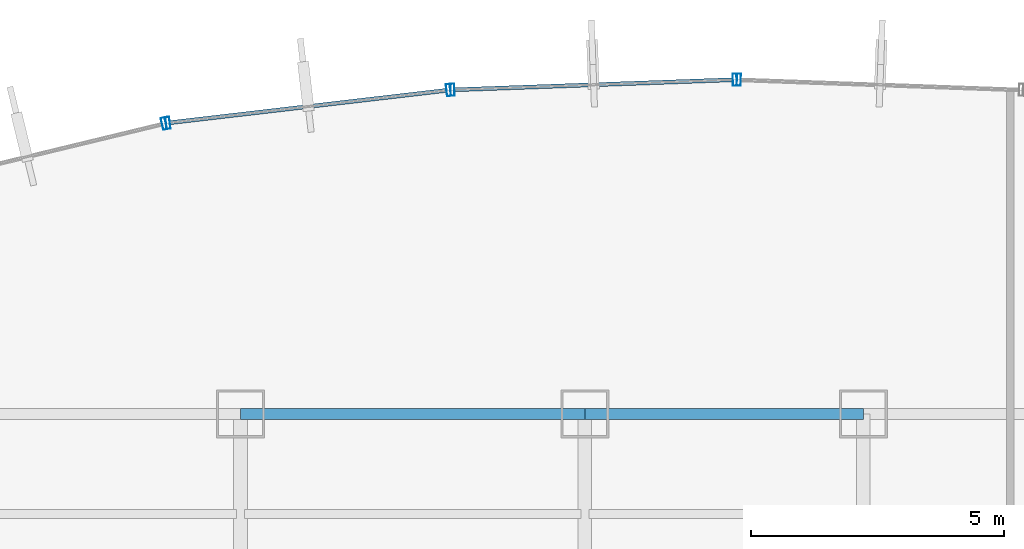
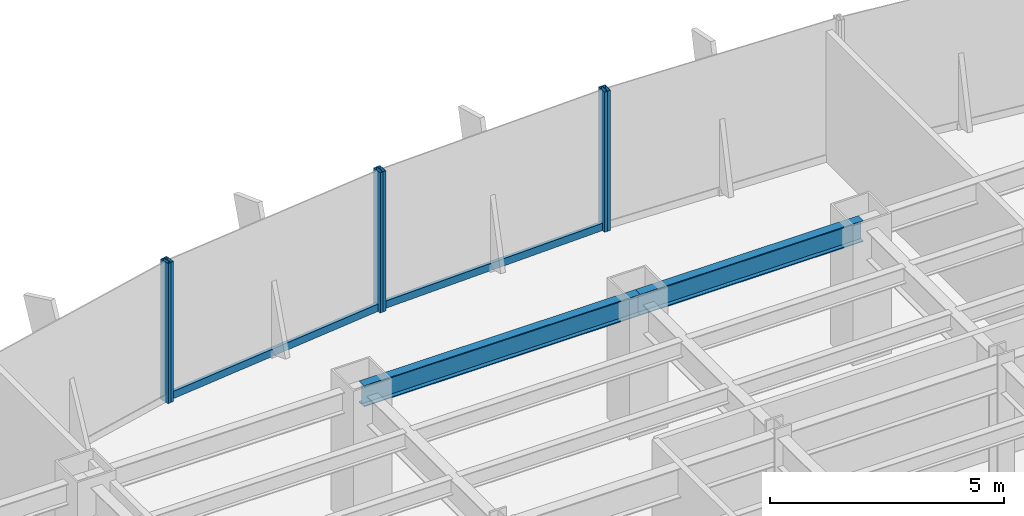
# One storey, part 12 of 22: 8 members, 2 beams, 4 elements without a shape of their own.
"""IFC4 building model written with IfcOpenShell, lengths in metres."""

from ifc_helpers import new_model, si_unit, derived_unit, direction, frame, origin, origin_2d, place, context, subcontext, project, spatial, hollow_rectangle, i_section, extrude, source, transform, mapped, material, material_profile, profile_set, type_object, element, aggregate, save


model = new_model("IFC4")

# Units and contexts
model_context = context("Model", 3, precision=1e-05, world=origin(), true_north=direction((0.0, 1.0)))
body_context = subcontext(model_context, "Body", "Model", "MODEL_VIEW")
ifc_project = project(units=[si_unit("LENGTHUNIT", "METRE"), si_unit("AREAUNIT", "SQUARE_METRE"), si_unit("VOLUMEUNIT", "CUBIC_METRE"), si_unit("PLANEANGLEUNIT", "RADIAN"), si_unit("MASSUNIT", "GRAM", prefix="KILO"), derived_unit("THERMALTRANSMITTANCEUNIT", [(si_unit("POWERUNIT", "WATT"), 1), (si_unit("LENGTHUNIT", "METRE"), -2), (si_unit("THERMODYNAMICTEMPERATUREUNIT", "KELVIN"), -1)])], contexts=[model_context])

# Site, building, storey
site_placement = place(None, origin())
site = spatial("IfcSite", under=ifc_project, at=site_placement, CompositionType="ELEMENT")
building_placement = place(site_placement, origin())
building = spatial("IfcBuilding", under=site, at=building_placement, Name="Skarnbrae Concourse Arena and Tower", CompositionType="ELEMENT")
storey_placement = place(building_placement, frame((0.0, 0.0, 69.0)))
storey = spatial("IfcBuildingStorey", under=building, at=storey_placement, Name="L16", CompositionType="ELEMENT", Elevation=69.0)

# Beams
ifc_material_1 = material(Name="Steel CSA G40.21 350W", Category="steel")
ifc_material_profile_1 = material_profile(ifc_material_1, i_section(OverallWidth=0.214111328125, OverallDepth=0.549072265625, WebThickness=0.0146484375, FlangeThickness=0.023681640625, at=origin_2d()), Name="W530X138")
ifc_profile_set_1 = profile_set([ifc_material_profile_1], Name="Steel CSA G40.21 350W")
beam_type = type_object("IfcBeamType", Name="BM-SPAN-W530X138", PredefinedType="SPANDREL", material=ifc_profile_set_1)
shared_shape_1 = source(origin(), body_context, "Body", "SweptSolid", [
    extrude(i_section(OverallWidth=0.214111328125, OverallDepth=0.549072265625, WebThickness=0.0146484375, FlangeThickness=0.023681640625, at=origin_2d()), origin(), (0.0, 0.0, 1.0), 6.800048828125),
])
beam_1_placement = place(storey_placement, frame((21.199951171875, 40.39990234375, 3.12548828125), z_axis=(1.0, 0.0, 0.0), x_axis=(0.0, 1.0, 0.0)))
element("IfcBeam", 1, at=beam_1_placement, inside=storey, type_object=beam_type, Name="L16 Perimeter spandrel Y40.4-3", PredefinedType="SPANDREL", context=body_context, shape_type="MappedRepresentation", body=[
    mapped(shared_shape_1, transform((0.0, 0.0, 0.0))),
])
shared_shape_2 = source(origin(), body_context, "Body", "SweptSolid", [
    extrude(i_section(OverallWidth=0.214111328125, OverallDepth=0.549072265625, WebThickness=0.0146484375, FlangeThickness=0.023681640625, at=origin_2d()), origin(), (0.0, 0.0, 1.0), 5.5),
])
beam_2_placement = place(storey_placement, frame((28.0, 40.39990234375, 3.12548828125), z_axis=(1.0, 0.0, 0.0), x_axis=(0.0, 1.0, 0.0)))
element("IfcBeam", 2, at=beam_2_placement, inside=storey, type_object=beam_type, Name="L16 Perimeter spandrel Y40.4-4", PredefinedType="SPANDREL", context=body_context, shape_type="MappedRepresentation", body=[
    mapped(shared_shape_2, transform((0.0, 0.0, 0.0))),
])

# Curtain wall, member
ifc_material_2 = material(Name="Bronze anodised aluminium 6063-T6", Category="aluminium")
curtain_wall_type = type_object("IfcCurtainWallType", Name="CW-SYS-02-LOWZONE", PredefinedType="USERDEFINED", material=ifc_material_2)
curtain_wall_1_placement = place(storey_placement, origin())
curtain_wall_1 = element("IfcCurtainWall", 3, at=curtain_wall_1_placement, inside=storey, type_object=curtain_wall_type, Name="L16 Unitised curtain wall CW-L16-E11", ObjectType="UNITISED CURTAIN WALL", PredefinedType="USERDEFINED")
ifc_material_profile_2 = material_profile(ifc_material_2, hollow_rectangle(XDim=0.080078125, YDim=0.239990234375, WallThickness=0.0048828125, at=origin_2d()), Name="ALU-MULL-80X240")
ifc_profile_set_2 = profile_set([ifc_material_profile_2], Name="Bronze anodised aluminium 6063-T6")
member_type_1 = type_object("IfcMemberType", Name="CWM-CW-02", PredefinedType="MULLION", material=ifc_profile_set_2)
shared_shape_3 = source(origin(), body_context, "Body", "SweptSolid", [
    extrude(hollow_rectangle(XDim=0.080078125, YDim=0.239990234375, WallThickness=0.0048828125, at=origin_2d()), origin(), (0.0, 0.0, 1.0), 3.64990234375),
])
member_1_placement = place(storey_placement, frame((31.0400390625, 46.99853515625, 0.0), z_axis=(0.0, 0.0, 1.0), x_axis=(-0.999355425188, 0.035898943527, 0.0)))
member_1 = element("IfcMember", 4, at=member_1_placement, type_object=member_type_1, Name="CW-L16-E11 Mullion 2", PredefinedType="MULLION", context=body_context, shape_type="MappedRepresentation", body=[
    mapped(shared_shape_3, transform((0.0, 0.0, 0.0))),
])
aggregate(curtain_wall_1, [member_1])

# Curtain wall, members
curtain_wall_2_placement = place(storey_placement, origin())
curtain_wall_2 = element("IfcCurtainWall", 5, at=curtain_wall_2_placement, inside=storey, type_object=curtain_wall_type, Name="L16 Unitised curtain wall CW-L16-E12", ObjectType="UNITISED CURTAIN WALL", PredefinedType="USERDEFINED")
member_2_placement = place(storey_placement, frame((30.9599609375, 46.99853515625, 0.0), z_axis=(0.0, 0.0, 1.0), x_axis=(-0.999355425188, -0.035898943527, 0.0)))
member_2 = element("IfcMember", 6, at=member_2_placement, type_object=member_type_1, Name="CW-L16-E12 Mullion 1", PredefinedType="MULLION", context=body_context, shape_type="MappedRepresentation", body=[
    mapped(shared_shape_3, transform((0.0, 0.0, 0.0))),
])
member_3_placement = place(storey_placement, frame((25.385986328125, 46.79833984375, 0.0), z_axis=(0.0, 0.0, 1.0), x_axis=(-0.999355425188, -0.035898943527, 0.0)))
member_3 = element("IfcMember", 7, at=member_3_placement, type_object=member_type_1, Name="CW-L16-E12 Mullion 2", PredefinedType="MULLION", context=body_context, shape_type="MappedRepresentation", body=[
    mapped(shared_shape_3, transform((0.0, 0.0, 0.0))),
])

curtain_wall_3_placement = place(storey_placement, origin())
curtain_wall_3 = element("IfcCurtainWall", 8, at=curtain_wall_3_placement, inside=storey, type_object=curtain_wall_type, Name="L16 Unitised curtain wall CW-L16-E13", ObjectType="UNITISED CURTAIN WALL", PredefinedType="USERDEFINED")
member_4_placement = place(storey_placement, frame((25.306396484375, 46.792236328125, 0.0), z_axis=(0.0, 0.0, 1.0), x_axis=(-0.99324457001, -0.116039752435, 0.0)))
member_4 = element("IfcMember", 9, at=member_4_placement, type_object=member_type_1, Name="CW-L16-E13 Mullion 1", PredefinedType="MULLION", context=body_context, shape_type="MappedRepresentation", body=[
    mapped(shared_shape_3, transform((0.0, 0.0, 0.0))),
])
member_5_placement = place(storey_placement, frame((19.767333984375, 46.14501953125, 0.0), z_axis=(0.0, 0.0, 1.0), x_axis=(-0.99324457001, -0.116039752435, 0.0)))
member_5 = element("IfcMember", 10, at=member_5_placement, type_object=member_type_1, Name="CW-L16-E13 Mullion 2", PredefinedType="MULLION", context=body_context, shape_type="MappedRepresentation", body=[
    mapped(shared_shape_3, transform((0.0, 0.0, 0.0))),
])

# Curtain wall, member
curtain_wall_4_placement = place(storey_placement, origin())
curtain_wall_4 = element("IfcCurtainWall", 11, at=curtain_wall_4_placement, inside=storey, type_object=curtain_wall_type, Name="L16 Unitised curtain wall CW-L16-E14", ObjectType="UNITISED CURTAIN WALL", PredefinedType="USERDEFINED")
member_6_placement = place(storey_placement, frame((19.688720703125, 46.131103515625, 0.0), z_axis=(0.0, 0.0, 1.0), x_axis=(-0.971973721569, -0.235089524607, 0.0)))
member_6 = element("IfcMember", 12, at=member_6_placement, type_object=member_type_1, Name="CW-L16-E14 Mullion 1", PredefinedType="MULLION", context=body_context, shape_type="MappedRepresentation", body=[
    mapped(shared_shape_3, transform((0.0, 0.0, 0.0))),
])
aggregate(curtain_wall_4, [member_6])

# Member
ifc_material_profile_3 = material_profile(ifc_material_2, hollow_rectangle(XDim=0.080078125, YDim=0.18994140625, WallThickness=0.0048828125, at=origin_2d()), Name="ALU-TRAN-80X190")
ifc_profile_set_3 = profile_set([ifc_material_profile_3], Name="Bronze anodised aluminium 6063-T6")
member_type_2 = type_object("IfcMemberType", Name="CWT-CW-02", PredefinedType="USERDEFINED", material=ifc_profile_set_3)
shared_shape_4 = source(origin(), body_context, "Body", "SweptSolid", [
    extrude(hollow_rectangle(XDim=0.080078125, YDim=0.18994140625, WallThickness=0.0048828125, at=origin_2d()), origin(), (0.0, 0.0, 1.0), 5.49658203125),
])
member_7_placement = place(storey_placement, frame((25.2666015625, 46.78759765625, 0.094970703125), z_axis=(-0.993247281455, -0.116016541417, 0.0), x_axis=(0.116016541417, -0.993247281455, 0.0)))
member_7 = element("IfcMember", 13, at=member_7_placement, type_object=member_type_2, Name="CW-L16-E13 Transom 1", ObjectType="TRANSOM", PredefinedType="USERDEFINED", context=body_context, shape_type="MappedRepresentation", body=[
    mapped(shared_shape_4, transform((0.0, 0.0, 0.0))),
])

aggregate(curtain_wall_3, [member_4, member_5, member_7])

shared_shape_5 = source(origin(), body_context, "Body", "SweptSolid", [
    extrude(hollow_rectangle(XDim=0.080078125, YDim=0.18994140625, WallThickness=0.0048828125, at=origin_2d()), origin(), (0.0, 0.0, 1.0), 5.497802734375),
])
member_8_placement = place(storey_placement, frame((30.920166015625, 46.9970703125, 0.094970703125), z_axis=(-0.999356047798, -0.03588160712, 0.0), x_axis=(0.03588160712, -0.999356047798, 0.0)))
member_8 = element("IfcMember", 14, at=member_8_placement, type_object=member_type_2, Name="CW-L16-E12 Transom 1", ObjectType="TRANSOM", PredefinedType="USERDEFINED", context=body_context, shape_type="MappedRepresentation", body=[
    mapped(shared_shape_5, transform((0.0, 0.0, 0.0))),
])

aggregate(curtain_wall_2, [member_2, member_3, member_8])

save(model, "model.ifc")
